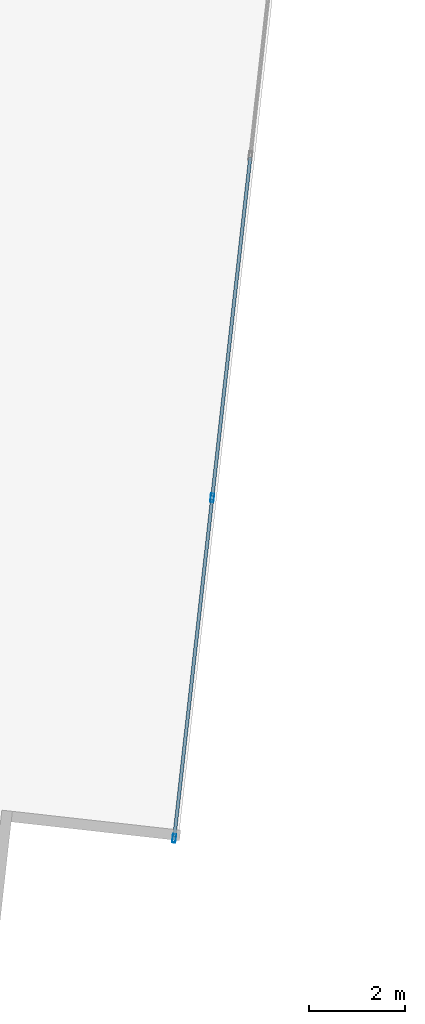
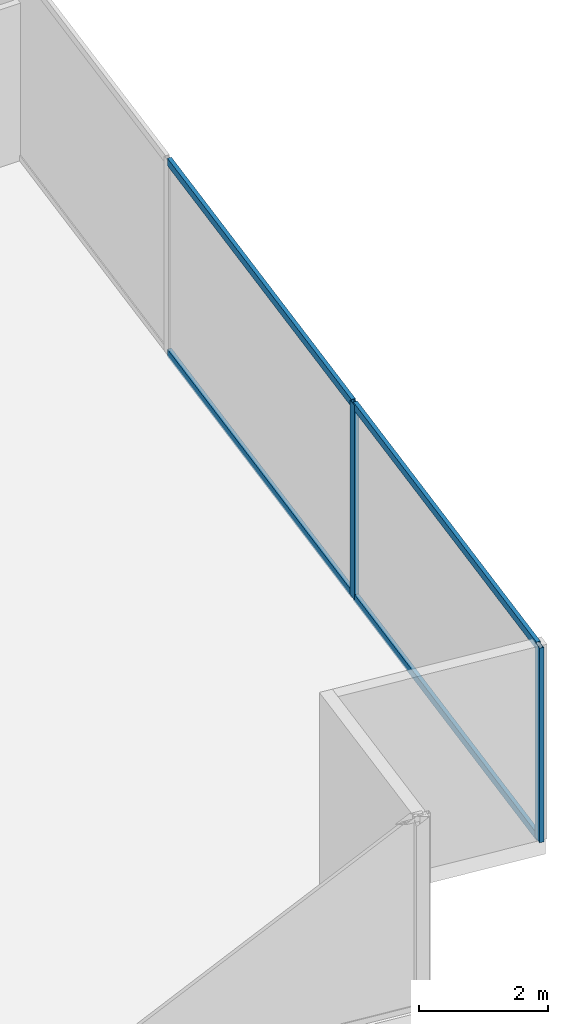
# One storey, part 12 of 29: 6 members, 1 element without a shape of its own.
"""IFC4 building model written with IfcOpenShell, lengths in metres."""

from ifc_helpers import new_model, si_unit, direction, frame, origin, origin_2d, place, context, subcontext, project, spatial, hollow_rectangle, extrude, source, transform, mapped, material, material_profile, profile_set, type_object, type_shapes, element, aggregate, save


model = new_model("IFC4")

# Units and contexts
model_context = context("Model", 3, precision=1e-05, world=origin(), true_north=direction((0.0, 1.0)))
body_context = subcontext(model_context, "Body", "Model", "MODEL_VIEW")
ifc_project = project(units=[si_unit("LENGTHUNIT", "METRE"), si_unit("AREAUNIT", "SQUARE_METRE"), si_unit("VOLUMEUNIT", "CUBIC_METRE"), si_unit("PLANEANGLEUNIT", "RADIAN"), si_unit("MASSUNIT", "GRAM", prefix="KILO")], contexts=[model_context])

# Site, building, storey
site_placement = place(None, origin())
site = spatial("IfcSite", under=ifc_project, at=site_placement, CompositionType="ELEMENT")
building_placement = place(site_placement, origin())
building = spatial("IfcBuilding", under=site, at=building_placement, Name="Krantzveldt Concourse Tower", CompositionType="ELEMENT")
storey_placement = place(building_placement, frame((0.0, 0.0, 60.550048828125)))
storey = spatial("IfcBuildingStorey", under=building, at=storey_placement, Name="L14", CompositionType="ELEMENT", Elevation=60.550048828125)

# Curtain wall, members
ifc_material = material(Name="Anodised aluminium 6063-T6", Category="aluminium")
curtain_wall_type = type_object("IfcCurtainWallType", Name="CW2", PredefinedType="USERDEFINED", material=ifc_material)
curtain_wall_placement = place(storey_placement, origin())
curtain_wall = element("IfcCurtainWall", 1, at=curtain_wall_placement, inside=storey, type_object=curtain_wall_type, Name="CW-L14-F07", ObjectType="UNITISED CURTAIN WALL", PredefinedType="USERDEFINED")
ifc_material_profile_1 = material_profile(ifc_material, hollow_rectangle(XDim=0.070068359375, YDim=0.179931640625, WallThickness=0.0048828125, at=origin_2d()), Name="Anodised aluminium 6063-T6", Category="aluminium")
ifc_profile_set_1 = profile_set([ifc_material_profile_1], Name="Anodised aluminium 6063-T6 - ALU-MULL 180x70x5")
member_type_1 = type_object("IfcMemberType", Name="CW-MUL-180", PredefinedType="MULLION", material=ifc_profile_set_1)
shared_shape_1 = source(origin(), body_context, "Body", "SweptSolid", [
    extrude(hollow_rectangle(XDim=0.070068359375, YDim=0.179931640625, WallThickness=0.0048828125, at=origin_2d()), origin(), (0.0, 0.0, 1.0), 3.669921875),
])
type_shapes(member_type_1, [shared_shape_1])
member_1_placement = place(storey_placement, frame((58.37255859375, 2.601806640625, 0.0), z_axis=(0.0, 0.0, 1.0), x_axis=(-0.993816458223, 0.111035342863, 0.0)))
member_1 = element("IfcMember", 2, at=member_1_placement, type_object=member_type_1, Name="CW-Z12 mullion 1", PredefinedType="MULLION", context=body_context, shape_type="MappedRepresentation", body=[
    mapped(shared_shape_1, transform((0.0, 0.0, 0.0), x_axis=(1.0, 0.0, 0.0), y_axis=(0.0, 1.0, 0.0), z_axis=(0.0, 0.0, 1.0), scale=1.0)),
])
member_2_placement = place(storey_placement, frame((59.16455078125, 9.689453125, 0.0), z_axis=(0.0, 0.0, 1.0), x_axis=(-0.993816458223, 0.111035342863, 0.0)))
member_2 = element("IfcMember", 3, at=member_2_placement, type_object=member_type_1, Name="CW-Z12 mullion 2", PredefinedType="MULLION", context=body_context, shape_type="MappedRepresentation", body=[
    mapped(shared_shape_1, transform((0.0, 0.0, 0.0), x_axis=(1.0, 0.0, 0.0), y_axis=(0.0, 1.0, 0.0), z_axis=(0.0, 0.0, 1.0), scale=1.0)),
])
ifc_material_profile_2 = material_profile(ifc_material, hollow_rectangle(XDim=0.070068359375, YDim=0.139892578125, WallThickness=0.0048828125, at=origin_2d()), Name="Anodised aluminium 6063-T6", Category="aluminium")
ifc_profile_set_2 = profile_set([ifc_material_profile_2], Name="Anodised aluminium 6063-T6 - ALU-TRAN 140x70x5")
member_type_2 = type_object("IfcMemberType", Name="CW-TRN-150", PredefinedType="USERDEFINED", material=ifc_profile_set_2)
shared_shape_2 = source(origin(), body_context, "Body", "SweptSolid", [
    extrude(hollow_rectangle(XDim=0.070068359375, YDim=0.139892578125, WallThickness=0.0048828125, at=origin_2d()), origin(), (0.0, 0.0, 1.0), 7.0615234375),
])
member_3_placement = place(storey_placement, frame((58.37646484375, 2.63671875, 0.034912109375), z_axis=(0.111050032763, 0.993814816866, 0.0), x_axis=(-0.993814816866, 0.111050032763, 0.0)))
member_3 = element("IfcMember", 4, at=member_3_placement, type_object=member_type_2, Name="CW-Z12 transom 1.1", ObjectType="TRANSOM", PredefinedType="USERDEFINED", context=body_context, shape_type="MappedRepresentation", body=[
    mapped(shared_shape_2, transform((0.0, 0.0, 0.0), x_axis=(1.0, 0.0, 0.0), y_axis=(0.0, 1.0, 0.0), z_axis=(0.0, 0.0, 1.0), scale=1.0)),
])
member_4_placement = place(storey_placement, frame((58.37646484375, 2.63671875, 3.635009765625), z_axis=(0.111050032763, 0.993814816866, 0.0), x_axis=(-0.993814816866, 0.111050032763, 0.0)))
member_4 = element("IfcMember", 5, at=member_4_placement, type_object=member_type_2, Name="CW-Z12 transom 1.2", ObjectType="TRANSOM", PredefinedType="USERDEFINED", context=body_context, shape_type="MappedRepresentation", body=[
    mapped(shared_shape_2, transform((0.0, 0.0, 0.0), x_axis=(1.0, 0.0, 0.0), y_axis=(0.0, 1.0, 0.0), z_axis=(0.0, 0.0, 1.0), scale=1.0)),
])
shared_shape_3 = source(origin(), body_context, "Body", "SweptSolid", [
    extrude(hollow_rectangle(XDim=0.070068359375, YDim=0.139892578125, WallThickness=0.0048828125, at=origin_2d()), origin(), (0.0, 0.0, 1.0), 7.0966796875),
])
type_shapes(member_type_2, [shared_shape_2, shared_shape_3])
member_5_placement = place(storey_placement, frame((59.16845703125, 9.72412109375, 0.034912109375), z_axis=(0.111016768449, 0.993818533296, 0.0), x_axis=(-0.993818533296, 0.111016768449, 0.0)))
member_5 = element("IfcMember", 6, at=member_5_placement, type_object=member_type_2, Name="CW-Z12 transom 2.1", ObjectType="TRANSOM", PredefinedType="USERDEFINED", context=body_context, shape_type="MappedRepresentation", body=[
    mapped(shared_shape_3, transform((0.0, 0.0, 0.0), x_axis=(1.0, 0.0, 0.0), y_axis=(0.0, 1.0, 0.0), z_axis=(0.0, 0.0, 1.0), scale=1.0)),
])
member_6_placement = place(storey_placement, frame((59.16845703125, 9.72412109375, 3.635009765625), z_axis=(0.111016768449, 0.993818533296, 0.0), x_axis=(-0.993818533296, 0.111016768449, 0.0)))
member_6 = element("IfcMember", 7, at=member_6_placement, type_object=member_type_2, Name="CW-Z12 transom 2.2", ObjectType="TRANSOM", PredefinedType="USERDEFINED", context=body_context, shape_type="MappedRepresentation", body=[
    mapped(shared_shape_3, transform((0.0, 0.0, 0.0), x_axis=(1.0, 0.0, 0.0), y_axis=(0.0, 1.0, 0.0), z_axis=(0.0, 0.0, 1.0), scale=1.0)),
])
aggregate(curtain_wall, [member_1, member_2, member_3, member_4, member_5, member_6])

save(model, "model.ifc")
